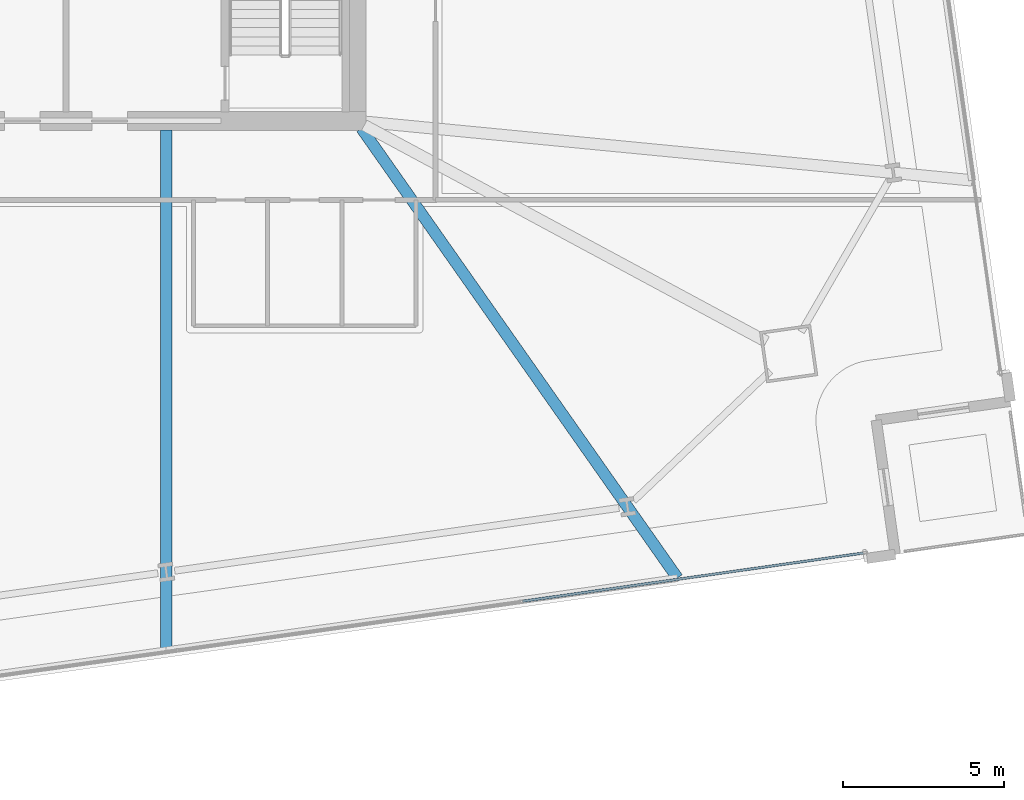
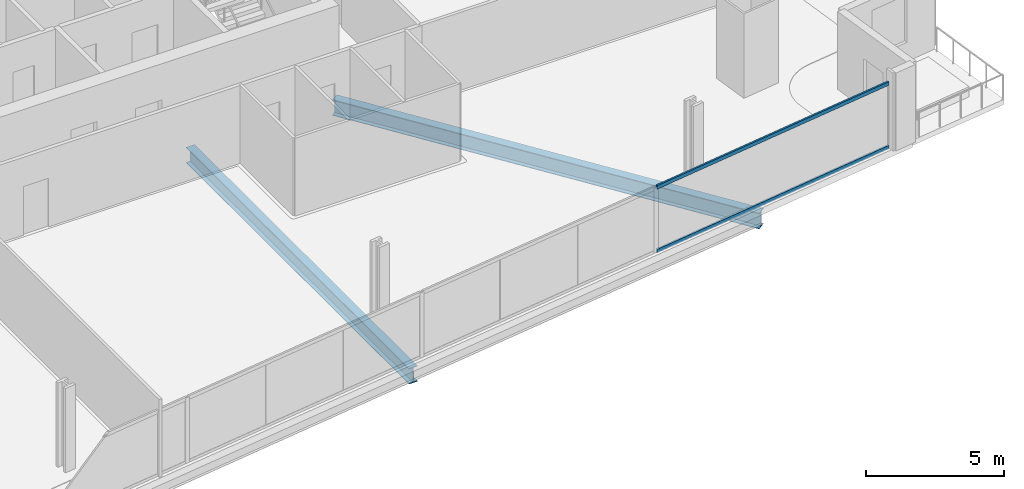
# One storey, part 10 of 33: 2 beams, 2 members, 1 element without a shape of its own.
"""IFC4 building model written with IfcOpenShell, lengths in metres."""

from ifc_helpers import new_model, si_unit, direction, frame, origin, origin_2d, place, context, subcontext, project, spatial, hollow_rectangle, i_section, extrude, material, material_profile, profile_set, type_object, element, aggregate, save


model = new_model("IFC4")

# Units and contexts
model_context = context("Model", 3, precision=1e-05, world=origin(), true_north=direction((0.0, 1.0)))
body_context = subcontext(model_context, "Body", "Model", "MODEL_VIEW")
ifc_project = project(units=[si_unit("LENGTHUNIT", "METRE"), si_unit("AREAUNIT", "SQUARE_METRE"), si_unit("VOLUMEUNIT", "CUBIC_METRE"), si_unit("PLANEANGLEUNIT", "RADIAN"), si_unit("MASSUNIT", "GRAM", prefix="KILO")], contexts=[model_context])

# Site, building, storey
site_placement = place(None, origin())
site = spatial("IfcSite", under=ifc_project, at=site_placement, CompositionType="ELEMENT")
building_placement = place(site_placement, origin())
building = spatial("IfcBuilding", under=site, at=building_placement, Name="Haldenkirk Collegiate Tower", CompositionType="ELEMENT")
storey_placement = place(building_placement, frame((0.0, 0.0, 55.199951171875)))
storey = spatial("IfcBuildingStorey", under=building, at=storey_placement, Name="L12", CompositionType="ELEMENT", Elevation=55.199951171875)

# Beams
ifc_material_1 = material(Name="Steel ASTM A992 Grade 50", Category="steel")
ifc_material_profile_1 = material_profile(ifc_material_1, i_section(OverallWidth=0.35498046875, OverallDepth=0.696044921875, WebThickness=0.015380859375, FlangeThickness=0.02490234375, at=origin_2d()), Name="W27X146")
ifc_profile_set_1 = profile_set([ifc_material_profile_1], Name="Steel ASTM A992 Grade 50")
beam_type = type_object("IfcBeamType", Name="BM-GIRDER-W27X146", PredefinedType="BEAM", material=ifc_profile_set_1)
beam_1_placement = place(storey_placement, frame((39.10888671875, 1.58984375, -0.657958984375), z_axis=(0.0, 1.0, 0.0), x_axis=(-1.0, 0.0, 0.0)))
element("IfcBeam", 1, at=beam_1_placement, inside=storey, type_object=beam_type, Name="L12 primary floor girder 06", PredefinedType="BEAM", context=body_context, shape_type="SweptSolid", body=[
    extrude(i_section(OverallWidth=0.35498046875, OverallDepth=0.696044921875, WebThickness=0.015380859375, FlangeThickness=0.02490234375, at=origin_2d()), origin(), (0.0, 0.0, 1.0), 16.130126953125),
])
beam_2_placement = place(storey_placement, frame((54.954833984375, 3.8310546875, -0.657958984375), z_axis=(-0.574879139398, 0.818238336358, 0.0), x_axis=(-0.818238336358, -0.574879139398, 0.0)))
element("IfcBeam", 2, at=beam_2_placement, inside=storey, type_object=beam_type, Name="L12 primary floor girder 07", PredefinedType="BEAM", context=body_context, shape_type="SweptSolid", body=[
    extrude(i_section(OverallWidth=0.35498046875, OverallDepth=0.696044921875, WebThickness=0.015380859375, FlangeThickness=0.02490234375, at=origin_2d()), origin(), (0.0, 0.0, 1.0), 17.03662109375),
])

# Curtain wall, members
ifc_material_2 = material(Name="Anodised architectural bronze aluminium", Category="aluminium")
curtain_wall_type = type_object("IfcCurtainWallType", Name="CW-SYS2-CONCAVE", PredefinedType="USERDEFINED", material=ifc_material_2)
curtain_wall_placement = place(storey_placement, origin())
curtain_wall = element("IfcCurtainWall", 3, at=curtain_wall_placement, inside=storey, type_object=curtain_wall_type, Name="L12 South concave recessed bronze-anodised curtain wall", ObjectType="UNITISED CURTAIN WALL", PredefinedType="USERDEFINED")
ifc_material_profile_2 = material_profile(ifc_material_2, hollow_rectangle(XDim=0.074951171875, YDim=0.159912109375, WallThickness=0.0048828125, at=origin_2d()), Name="CW-TRN-02")
ifc_profile_set_2 = profile_set([ifc_material_profile_2], Name="Anodised architectural bronze aluminium")
member_type = type_object("IfcMemberType", Name="CW-TRN-02", PredefinedType="USERDEFINED", material=ifc_profile_set_2)
member_1_placement = place(storey_placement, frame((60.714599609375, 4.605224609375, 0.03759765625), z_axis=(-0.990145903853, -0.140039598269, 0.0), x_axis=(0.140039598269, -0.990145903853, 0.0)))
member_1 = element("IfcMember", 4, at=member_1_placement, type_object=member_type, Name="CW-02 transom 1.1", ObjectType="TRANSOM", PredefinedType="USERDEFINED", context=body_context, shape_type="SweptSolid", body=[
    extrude(hollow_rectangle(XDim=0.074951171875, YDim=0.159912109375, WallThickness=0.0048828125, at=origin_2d()), origin(), (0.0, 0.0, 1.0), 10.662353515625),
])
member_2_placement = place(storey_placement, frame((60.714599609375, 4.605224609375, 2.853515625), z_axis=(-0.990145903853, -0.140039598269, 0.0), x_axis=(0.140039598269, -0.990145903853, 0.0)))
member_2 = element("IfcMember", 5, at=member_2_placement, type_object=member_type, Name="CW-02 transom 1.2", ObjectType="TRANSOM", PredefinedType="USERDEFINED", context=body_context, shape_type="SweptSolid", body=[
    extrude(hollow_rectangle(XDim=0.074951171875, YDim=0.159912109375, WallThickness=0.0048828125, at=origin_2d()), origin(), (0.0, 0.0, 1.0), 10.662353515625),
])
aggregate(curtain_wall, [member_1, member_2])

save(model, "model.ifc")
